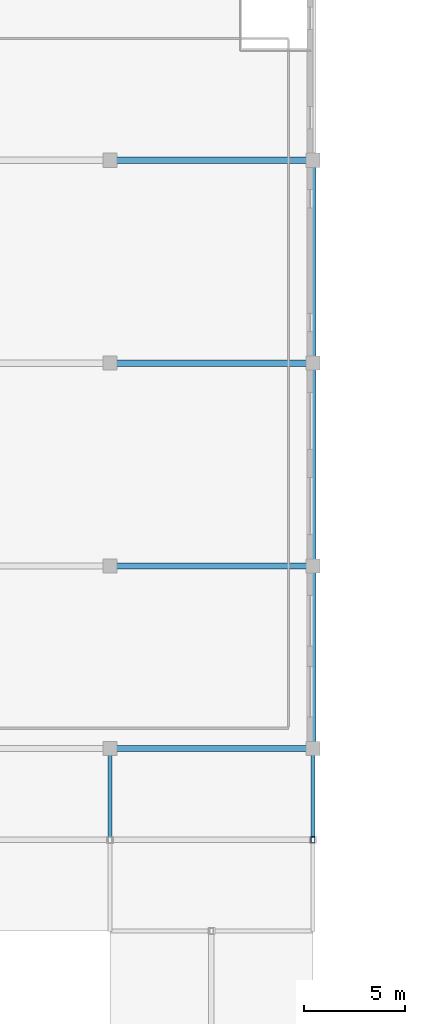
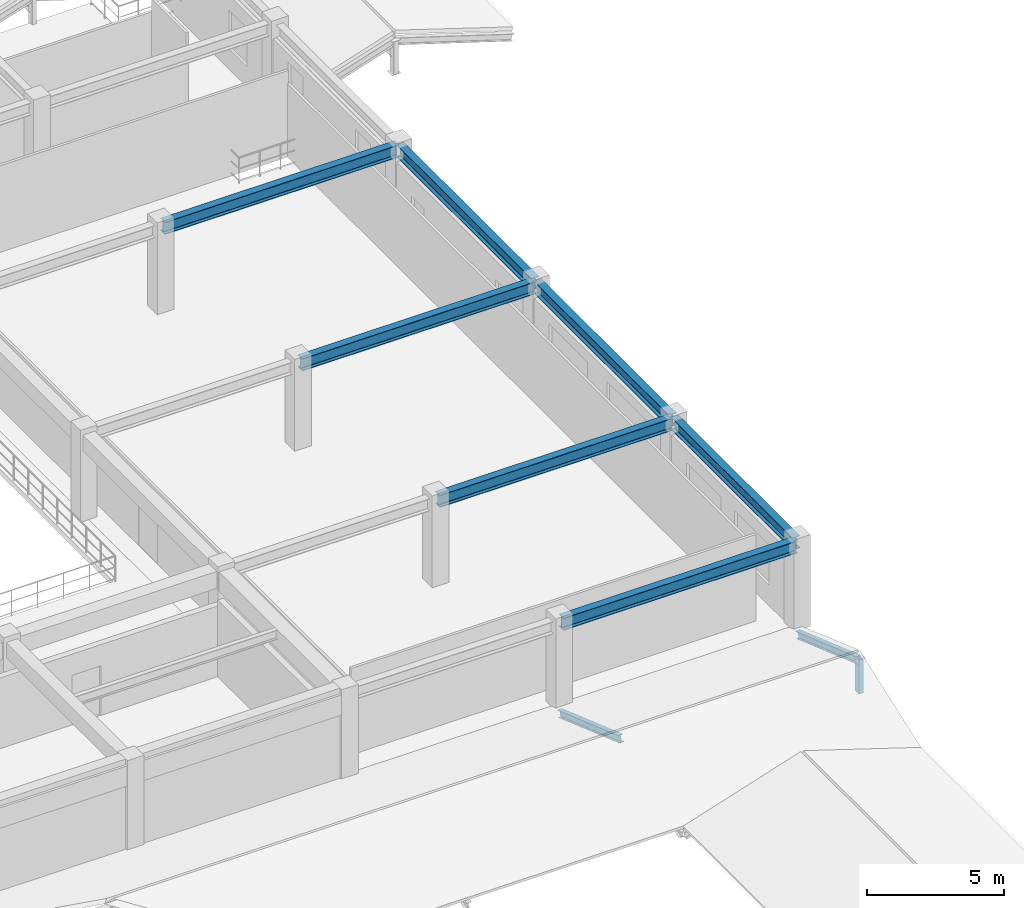
# One storey, part 74 of 110: 7 beams, 3 members.
"""IFC4 building model written with IfcOpenShell, lengths in metres."""

import ifcopenshell
import ifcopenshell.guid

model = None  # the IFC model being written
_history = None  # IfcOwnerHistory: only IFC2X3 demands one
_inside = {}  # id of a spatial element -> (the spatial element, [elements in it])
_under = {}  # id of a project, library or spatial element -> (it, [spatial elements below it])
_declared = {}  # id of a project -> (the project, [libraries it declares])
_typed = {}  # id of a type object -> (the type object, [elements of that type])
_made_of = {}  # id of a material, layer set ... -> (it, [elements and type objects made of it])


def new_model(schema):
    """Start an empty IFC model of exactly this schema.

    Asked for "IFC4X3", IfcOpenShell would pick the latest addendum, in which some entities
    have other attributes; the version numbers below select the first issue.
    IFC2X3 requires an IfcOwnerHistory on every rooted entity: one is made here for all.
    """
    global model, _history
    if schema == "IFC4X3":
        model = ifcopenshell.file(schema_version=(4, 3, 0, 0))
    else:
        model = ifcopenshell.file(schema=schema)
    _inside.clear()
    _under.clear()
    _declared.clear()
    _typed.clear()
    _made_of.clear()
    _history = None
    if model.schema == "IFC2X3":
        org = make("IfcOrganization", Name="unknown")
        user = make(
            "IfcPersonAndOrganization",
            ThePerson=make("IfcPerson", FamilyName="unknown"),
            TheOrganization=org,
        )
        app = make(
            "IfcApplication",
            ApplicationDeveloper=org,
            Version="unknown",
            ApplicationFullName="unknown",
            ApplicationIdentifier="unknown",
        )
        _history = make(
            "IfcOwnerHistory",
            OwningUser=user,
            OwningApplication=app,
            ChangeAction="ADDED",
            CreationDate=0,
        )
    return model


def make(cls, **values):
    """One entity of the class cls with the attributes given. An attribute that is None is left unset."""
    return model.create_entity(
        cls, **{name: value for name, value in values.items() if value is not None}
    )


def rooted(cls, **values):
    """An entity with a GlobalId (a new one), such as an element, a storey or a relation."""
    return make(cls, GlobalId=ifcopenshell.guid.new(), OwnerHistory=_history, **values)


def si_unit(unit_type, name, prefix=None):
    """IfcSIUnit, for example si_unit("LENGTHUNIT", "METRE", prefix="MILLI")."""
    return make("IfcSIUnit", UnitType=unit_type, Prefix=prefix, Name=name)


def assignment(units):
    """IfcUnitAssignment: the units of a project."""
    return None if units is None else make("IfcUnitAssignment", Units=units)


def point(xyz):
    """IfcCartesianPoint."""
    return None if xyz is None else make("IfcCartesianPoint", Coordinates=xyz)


def direction(xyz):
    """IfcDirection."""
    return None if xyz is None else make("IfcDirection", DirectionRatios=xyz)


def frame(location, z_axis=None, x_axis=None):
    """IfcAxis2Placement3D, a coordinate frame: its origin and axes. An axis left out is left unset."""
    return make(
        "IfcAxis2Placement3D",
        Location=point(location),
        Axis=direction(z_axis),
        RefDirection=direction(x_axis),
    )


def frame_2d(location, x_axis=None):
    """IfcAxis2Placement2D, a coordinate frame in the plane: its origin and x axis."""
    return make(
        "IfcAxis2Placement2D", Location=point(location), RefDirection=direction(x_axis)
    )


def origin():
    """The frame at (0, 0, 0) with its axes left unset."""
    return frame((0.0, 0.0, 0.0))


def origin_2d():
    """The frame at (0, 0) in the plane with its x axis left unset."""
    return frame_2d((0.0, 0.0))


def place(relative_to, where):
    """IfcLocalPlacement: puts the frame where relative to a parent placement (None: the world)."""
    return make(
        "IfcLocalPlacement", PlacementRelTo=relative_to, RelativePlacement=where
    )


def context(
    kind, dimensions, precision=None, world=None, true_north=None, identifier=None
):
    """IfcGeometricRepresentationContext, for example the 3D "Model" context."""
    return make(
        "IfcGeometricRepresentationContext",
        ContextIdentifier=identifier,
        ContextType=kind,
        CoordinateSpaceDimension=dimensions,
        Precision=precision,
        WorldCoordinateSystem=world,
        TrueNorth=true_north,
    )


def subcontext(parent, identifier, kind, view, scale=None):
    """IfcGeometricRepresentationSubContext, for example "Body" below "Model"."""
    return make(
        "IfcGeometricRepresentationSubContext",
        ContextIdentifier=identifier,
        ContextType=kind,
        ParentContext=parent,
        TargetScale=scale,
        TargetView=view,
    )


def project(units=None, contexts=None):
    """IfcProject with its units and contexts."""
    return rooted(
        "IfcProject",
        Name="project",
        RepresentationContexts=contexts,
        UnitsInContext=assignment(units),
    )


def spatial(cls, under=None, at=None, **own):
    """A site, building, storey or space (cls), placed at a placement, below another one or the project."""
    s = rooted(cls, ObjectPlacement=at, **own)
    if under is not None:
        _under.setdefault(under.id(), (under, []))[1].append(s)
    return s


def profile(cls, at=None, kind="AREA", **sizes):
    """A parametric profile (cls). Its sizes go by their IFC names, for example OverallWidth=200.0."""
    return make(cls, ProfileType=kind, Position=at, **sizes)


def hollow_rectangle(**sizes):
    """IfcRectangleHollowProfileDef."""
    return profile("IfcRectangleHollowProfileDef", **sizes)


def i_section(**sizes):
    """IfcIShapeProfileDef."""
    return profile("IfcIShapeProfileDef", **sizes)


def extrude(swept, where, along, depth):
    """IfcExtrudedAreaSolid: the profile swept, set in the frame where, extruded along a direction by depth."""
    return make(
        "IfcExtrudedAreaSolid",
        SweptArea=swept,
        Position=where,
        ExtrudedDirection=direction(along),
        Depth=depth,
    )


def shape(context_of_items, identifier, shape_type, items):
    """IfcShapeRepresentation: the items that make up one representation, for example the "Body"."""
    return make(
        "IfcShapeRepresentation",
        ContextOfItems=context_of_items,
        RepresentationIdentifier=identifier,
        RepresentationType=shape_type,
        Items=items,
    )


def material(Name=None, Category=None):
    """IfcMaterial."""
    return make("IfcMaterial", Name=Name, Category=Category)


def material_profile(
    of_material, cross_section, Name=None, Category=None, Priority=None
):
    """IfcMaterialProfile: a cross section and its material."""
    return make(
        "IfcMaterialProfile",
        Name=Name,
        Material=of_material,
        Profile=cross_section,
        Priority=Priority,
        Category=Category,
    )


def profile_set(profiles, Name=None, composite=None):
    """IfcMaterialProfileSet."""
    return make(
        "IfcMaterialProfileSet",
        Name=Name,
        MaterialProfiles=profiles,
        CompositeProfile=composite,
    )


def made_of(thing, what):
    """Note that an element or type object is made of a material, layer set ...; save() writes the relation."""
    if what is not None:
        _made_of.setdefault(what.id(), (what, []))[1].append(thing)
    return thing


def type_object(cls, material=None, **own):
    """A type object (cls), such as IfcWallType, which elements share."""
    return made_of(rooted(cls, **own), material)


def element(
    cls,
    number,
    at=None,
    inside=None,
    cuts=None,
    type_object=None,
    material=None,
    context=None,
    identifier="Body",
    shape_type=None,
    held_by="IfcProductDefinitionShape",
    body=None,
    shapes=None,
    **own,
):
    """One element of the class cls, such as IfcWall. Its Tag is "e" and its number.

    at: its placement. inside: the storey or other place that contains it. cuts: it is an
    opening in that element (IfcRelVoidsElement). A single representation is given by context,
    identifier, shape_type and body (its items); several are given by shapes. held_by: the class
    of the entity that holds the representations. save() writes the other relations.
    """
    e = rooted(cls, Tag="e%d" % number, ObjectPlacement=at, **own)
    if body is not None:
        shapes = [shape(context, identifier, shape_type, body)]
    if shapes is not None:
        e.Representation = make(held_by, Representations=shapes)
    if inside is not None:
        _inside.setdefault(inside.id(), (inside, []))[1].append(e)
    if cuts is not None:
        rooted(
            "IfcRelVoidsElement", RelatingBuildingElement=cuts, RelatedOpeningElement=e
        )
    if type_object is not None:
        _typed.setdefault(type_object.id(), (type_object, []))[1].append(e)
    return made_of(e, material)


def aggregate(whole, parts):
    """IfcRelAggregates: a whole, such as a stair, and the parts it consists of."""
    return rooted("IfcRelAggregates", RelatingObject=whole, RelatedObjects=parts)


def save(model, path):
    """Write the relations noted so far, then the file.

    IfcRelAggregates (storeys below a building ...), IfcRelContainedInSpatialStructure (elements
    in a storey), IfcRelDefinesByType, IfcRelAssociatesMaterial and IfcRelDeclares: one each for
    every whole, place, type object, material and project.
    """
    for whole, parts in _under.values():
        aggregate(whole, parts)
    for where, things in _inside.values():
        rooted(
            "IfcRelContainedInSpatialStructure",
            RelatedElements=things,
            RelatingStructure=where,
        )
    for kind, things in _typed.values():
        rooted("IfcRelDefinesByType", RelatedObjects=things, RelatingType=kind)
    for what, things in _made_of.values():
        rooted("IfcRelAssociatesMaterial", RelatedObjects=things, RelatingMaterial=what)
    for by, libraries in _declared.values():
        rooted("IfcRelDeclares", RelatingContext=by, RelatedDefinitions=libraries)
    model.write(path)


model = new_model("IFC4")

# Units and contexts
model_context = context("Model", 3, precision=1e-05, world=origin(), true_north=direction((0.0, 1.0)))
body_context = subcontext(model_context, "Body", "Model", "MODEL_VIEW")
ifc_project = project(units=[si_unit("LENGTHUNIT", "METRE"), si_unit("AREAUNIT", "SQUARE_METRE"), si_unit("VOLUMEUNIT", "CUBIC_METRE"), si_unit("PLANEANGLEUNIT", "RADIAN"), si_unit("MASSUNIT", "GRAM", prefix="KILO")], contexts=[model_context])

# Site, building, storey
site_placement = place(None, origin())
site = spatial("IfcSite", under=ifc_project, at=site_placement, CompositionType="ELEMENT")
building_placement = place(site_placement, origin())
building = spatial("IfcBuilding", under=site, at=building_placement, Name="Miravela Opera House", CompositionType="ELEMENT")
storey_placement = place(building_placement, frame((0.0, 0.0, 13.60009765625)))
storey = spatial("IfcBuildingStorey", under=building, at=storey_placement, Name="L03", CompositionType="ELEMENT", Elevation=13.60009765625)

# Beams
ifc_material_1 = material(Name="Structural steel ASTM A992 Gr. 50", Category="steel")
ifc_material_profile_1 = material_profile(ifc_material_1, i_section(OverallWidth=0.31201171875, OverallDepth=0.54296875, WebThickness=0.0126953125, FlangeThickness=0.020263671875, FilletRadius=0.01611328125, at=origin_2d()), Name="W530X150")
ifc_profile_set_1 = profile_set([ifc_material_profile_1])
beam_type = type_object("IfcBeamType", Name="STR-BM-W530X150", PredefinedType="BEAM", material=ifc_profile_set_1)
beam_placement = place(storey_placement, frame((154.0, 37.080078125, 3.568359375), z_axis=(0.0, 1.0, 0.0), x_axis=(-1.0, 0.0, 0.0)))
element("IfcBeam", 1, at=beam_placement, inside=storey, type_object=beam_type, Name="Roof Eave Girder ROOF-V2-REAR E1", PredefinedType="BEAM", context=body_context, shape_type="SweptSolid", body=[
    extrude(i_section(OverallWidth=0.31201171875, OverallDepth=0.54296875, WebThickness=0.0126953125, FlangeThickness=0.020263671875, FilletRadius=0.01611328125, at=origin_2d()), origin(), (0.0, 0.0, 1.0), 8.83984375),
])
for number, where, z_axis, x_axis, name in (
    (2, (154.0, 46.080078125, 3.568359375), (0.0, 1.0, 0.0), (-1.0, 0.0, 0.0), "Roof Eave Girder ROOF-V2-REAR E2"),
    (3, (154.0, 56.080078125, 3.568359375), (0.0, 1.0, 0.0), (-1.0, 0.0, 0.0), "Roof Eave Girder ROOF-V2-REAR E3"),
    (4, (144.080078125, 37.0, 3.568359375), (1.0, 0.0, 0.0), (0.0, 1.0, 0.0), "Roof King-Post Transverse Tie Girder ROOF-V2-REAR T0.2"),
    (5, (144.080078125, 46.0, 3.568359375), (1.0, 0.0, 0.0), (0.0, 1.0, 0.0), "Roof King-Post Transverse Tie Girder ROOF-V2-REAR T1.2"),
    (6, (144.080078125, 56.0, 3.568359375), (1.0, 0.0, 0.0), (0.0, 1.0, 0.0), "Roof King-Post Transverse Tie Girder ROOF-V2-REAR T2.2"),
    (7, (144.080078125, 66.0, 3.568359375), (1.0, 0.0, 0.0), (0.0, 1.0, 0.0), "Roof King-Post Transverse Tie Girder ROOF-V2-REAR T3.2"),
):
    element("IfcBeam", number, at=place(storey_placement, frame(where, z_axis=z_axis, x_axis=x_axis)), inside=storey, type_object=beam_type, Name=name, PredefinedType="BEAM", context=body_context, shape_type="SweptSolid", body=[
        extrude(i_section(OverallWidth=0.31201171875, OverallDepth=0.54296875, WebThickness=0.0126953125, FlangeThickness=0.020263671875, FilletRadius=0.01611328125, at=origin_2d()), origin(), (0.0, 0.0, 1.0), 9.83984375),
    ])

# Members
ifc_material_2 = material(Name="Hollow structural steel ASTM A500 Gr. C", Category="steel")
ifc_material_profile_2 = material_profile(ifc_material_2, hollow_rectangle(XDim=0.199951171875, YDim=0.300048828125, WallThickness=0.011962890625, InnerFilletRadius=0.011962890625, OuterFilletRadius=0.02392578125, at=origin_2d()), Name="HSS300X200X12")
ifc_profile_set_2 = profile_set([ifc_material_profile_2])
member_type_1 = type_object("IfcMemberType", Name="STR-MEM-POST-HSS300X200", PredefinedType="POST", material=ifc_profile_set_2)
member_placement = place(storey_placement, frame((154.0, 32.5, -0.25), z_axis=(0.0, 0.0, 1.0), x_axis=(1.0, 0.0, 0.0)))
element("IfcMember", 8, at=member_placement, inside=storey, type_object=member_type_1, Name="Roof Gable King Post ROOF-V4-NE E", PredefinedType="POST", context=body_context, shape_type="SweptSolid", body=[
    extrude(hollow_rectangle(XDim=0.199951171875, YDim=0.300048828125, WallThickness=0.011962890625, InnerFilletRadius=0.011962890625, OuterFilletRadius=0.02392578125, at=origin_2d()), origin(), (0.0, 0.0, 1.0), 1.510009765625),
])
ifc_material_profile_3 = material_profile(ifc_material_1, i_section(OverallWidth=0.202880859375, OverallDepth=0.302978515625, WebThickness=0.007568359375, FlangeThickness=0.01318359375, FilletRadius=0.012939453125, at=origin_2d()), Name="W310X60")
ifc_profile_set_3 = profile_set([ifc_material_profile_3])
member_type_2 = type_object("IfcMemberType", Name="STR-MEM-RAFTER-2", PredefinedType="RAFTER", material=ifc_profile_set_3)
for number, where, z_axis, x_axis, name in (
    (9, (144.0, 36.949951171875, -0.400146484375), (0.0, -0.943687918104, 0.3308369889), (1.0, 0.0, 0.0), "Pitched Roof Rafter ROOF-V4-NE N3"),
    (10, (154.0, 36.949951171875, -0.400146484375), (0.0, -0.943687918104, 0.3308369889), (1.0, 0.0, 0.0), "Pitched Roof Rafter ROOF-V4-NE N4"),
):
    element("IfcMember", number, at=place(storey_placement, frame(where, z_axis=z_axis, x_axis=x_axis)), inside=storey, type_object=member_type_2, Name=name, PredefinedType="RAFTER", context=body_context, shape_type="SweptSolid", body=[
        extrude(i_section(OverallWidth=0.202880859375, OverallDepth=0.302978515625, WebThickness=0.007568359375, FlangeThickness=0.01318359375, FilletRadius=0.012939453125, at=origin_2d()), origin(), (0.0, 0.0, 1.0), 4.715576171875),
    ])

save(model, "model.ifc")
